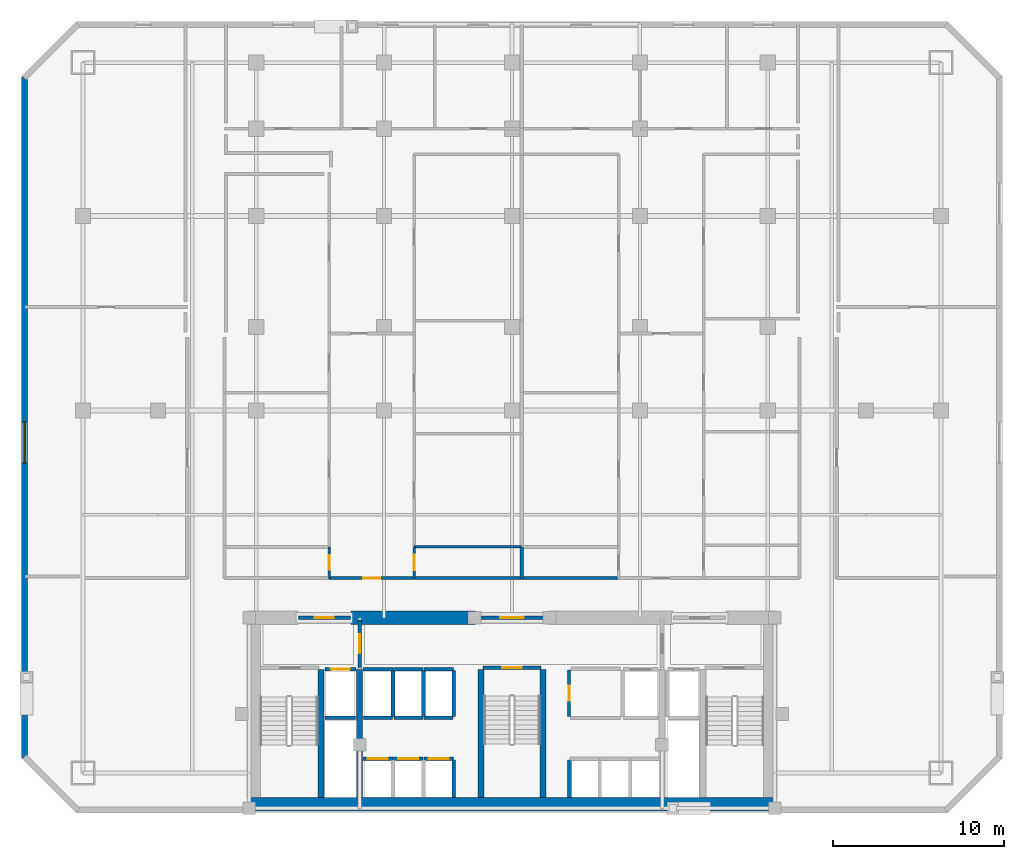
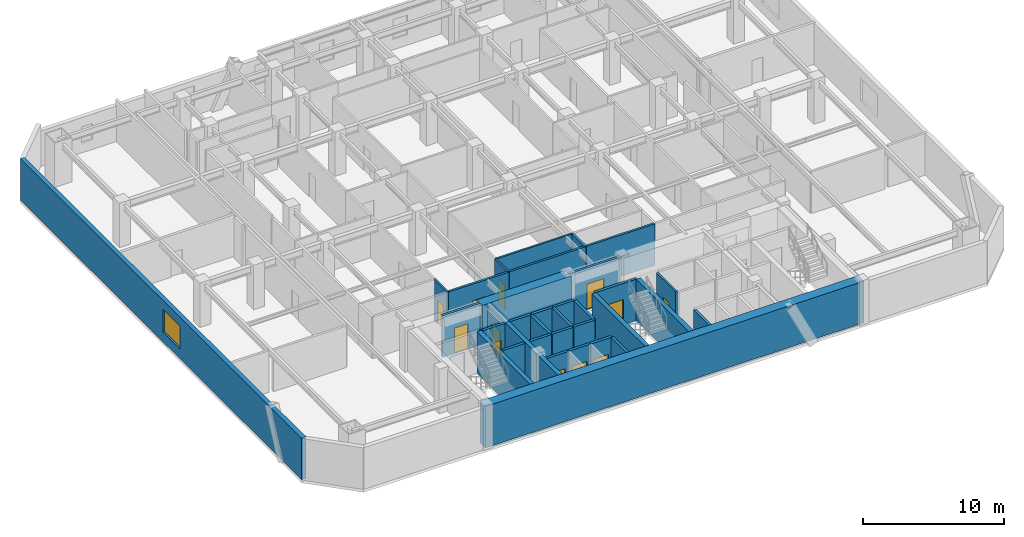
# One storey, part 3 of 8: 35 walls, 12 doors, 1 window, 13 openings.
"""IFC4 building model written with IfcOpenShell, lengths in metres."""

from ifc_helpers import new_model, si_unit, direction, frame, frame_2d, origin, place, context, subcontext, project, spatial, rectangle, extrude, material, layer, layer_set, type_object, element, fill, save


model = new_model("IFC4")

# Units and contexts
model_context = context("Model", 3, precision=1e-05, world=origin(), true_north=direction((0.0, 1.0)))
body_context = subcontext(model_context, "Body", "Model", "MODEL_VIEW")
ifc_project = project(units=[si_unit("LENGTHUNIT", "METRE"), si_unit("AREAUNIT", "SQUARE_METRE"), si_unit("VOLUMEUNIT", "CUBIC_METRE"), si_unit("PLANEANGLEUNIT", "RADIAN"), si_unit("MASSUNIT", "GRAM", prefix="KILO")], contexts=[model_context])

# Site, building, storey
site_placement = place(None, origin())
site = spatial("IfcSite", under=ifc_project, at=site_placement, CompositionType="ELEMENT")
building_placement = place(site_placement, origin())
building = spatial("IfcBuilding", under=site, at=building_placement, Name="Ventersveld Concourse Tower", CompositionType="ELEMENT")
storey_placement = place(building_placement, frame((0.0, 0.0, 37.5)))
storey = spatial("IfcBuildingStorey", under=building, at=storey_placement, Name="L08", CompositionType="ELEMENT", Elevation=37.5)

# Walls
ifc_material_1 = material(Name="Concrete C60/75", Category="concrete")
ifc_layer_1 = layer(ifc_material_1, 0.35009765625)
ifc_layer_set_1 = layer_set([ifc_layer_1], Name="Concrete C60/75")
wall_type_1 = type_object("IfcWallType", Name="WL-CORE-350L", PredefinedType="SHEAR", material=ifc_layer_set_1)
for number, where, z_axis, x_axis, name in (
    (1, (17.5400390625, 0.919921875, 0.0), (0.0, 0.0, 1.0), (0.0, 1.0, 0.0), "L08 Core Internal Shear Web W-ST1-E"),
    (2, (19.820068359375, 0.919921875, 0.0), (0.0, 0.0, 1.0), (0.0, 1.0, 0.0), "L08 Core Internal Shear Web W-FF1-E"),
    (3, (26.93994140625, 0.919921875, 0.0), (0.0, 0.0, 1.0), (0.0, 1.0, 0.0), "L08 Core Internal Shear Web W-ST3-W"),
    (4, (30.56005859375, 0.919921875, 0.0), (0.0, 0.0, 1.0), (0.0, 1.0, 0.0), "L08 Core Internal Shear Web W-ST3-E"),
):
    element("IfcWall", number, at=place(storey_placement, frame(where, z_axis=z_axis, x_axis=x_axis)), inside=storey, type_object=wall_type_1, Name=name, PredefinedType="SHEAR", context=body_context, shape_type="SweptSolid", body=[
        extrude(rectangle(XDim=7.5, YDim=0.35009765625, at=frame_2d((3.75, 0.0))), origin(), (0.0, 0.0, 1.0), 3.60009765625),
    ])
ifc_layer_2 = layer(ifc_material_1, 0.800048828125)
ifc_layer_set_2 = layer_set([ifc_layer_2], Name="Concrete C60/75")
wall_type_2 = type_object("IfcWallType", Name="WL-CORE-800", PredefinedType="SHEAR", material=ifc_layer_set_2)
wall_1_placement = place(storey_placement, frame((13.25, 0.52001953125, 0.0), z_axis=(0.0, 0.0, 1.0), x_axis=(1.0, 0.0, 0.0)))
element("IfcWall", 5, at=wall_1_placement, inside=storey, type_object=wall_type_2, Name="L08 Rear Core South Shear Wall", PredefinedType="SHEAR", context=body_context, shape_type="SweptSolid", body=[
    extrude(rectangle(XDim=31.0, YDim=0.800048828125, at=frame_2d((15.5, 0.0))), origin(), (0.0, 0.0, 1.0), 3.60009765625),
])
wall_2_placement = place(storey_placement, frame((19.300048828125, 11.449951171875, 0.0), z_axis=(0.0, 0.0, 1.0), x_axis=(1.0, 0.0, 0.0)))
element("IfcWall", 6, at=wall_2_placement, inside=storey, type_object=wall_type_2, Name="L08 Rear Core North Shear Wall NML", PredefinedType="SHEAR", context=body_context, shape_type="SweptSolid", body=[
    extrude(rectangle(XDim=7.300048828125, YDim=0.800048828125, at=frame_2d((3.64990234375, 0.0))), origin(), (0.0, 0.0, 1.0), 3.60009765625),
])

# Wall, opening, door
ifc_material_2 = material(Name="Fire-rated autoclaved aerated masonry blockwork", Category="masonry")
ifc_layer_3 = layer(ifc_material_2, 0.179931640625)
ifc_layer_set_3 = layer_set([ifc_layer_3], Name="Fire-rated autoclaved aerated masonry blockwork")
wall_type_3 = type_object("IfcWallType", Name="WL-CORR-180", PredefinedType="PARTITIONING", material=ifc_layer_set_3)
wall_3_placement = place(storey_placement, frame((32.10009765625, 5.64990234375, 0.0), z_axis=(0.0, 0.0, 1.0), x_axis=(0.0, 1.0, 0.0)))
wall_3 = element("IfcWall", 7, at=wall_3_placement, inside=storey, type_object=wall_type_3, Name="L08 Core Passage Wall SP-L08-CBAY1", PredefinedType="PARTITIONING", context=body_context, shape_type="SweptSolid", body=[
    extrude(rectangle(XDim=2.72998046875, YDim=0.179931640625, at=frame_2d((1.364990234375, 0.0))), origin(), (0.0, 0.0, 1.0), 3.60009765625),
])
opening_1_placement = place(wall_3_placement, frame((0.925048828125, 0.0, 0.0)))
opening_1 = element("IfcOpeningElement", 8, at=opening_1_placement, cuts=wall_3, Name="Opening FD5", PredefinedType="OPENING", context=body_context, shape_type="SweptSolid", body=[
    extrude(rectangle(XDim=0.8798828125, YDim=2.050048828125, at=frame_2d((0.43994140625, 1.02490234375))), frame((0.0, 0.10009765625, 0.0), z_axis=(0.0, -1.0, 0.0), x_axis=(1.0, 0.0, 0.0)), (0.0, 0.0, 1.0), 0.199951171875),
])
ifc_material_3 = material(Name="Galvanised painted steel", Category="steel")
door_type_1 = type_object("IfcDoorType", Name="DR-RISER-088", OperationType="NOTDEFINED", PredefinedType="DOOR", material=ifc_material_3)
door_1_placement = place(opening_1_placement, origin())
door_1 = element("IfcDoor", 9, at=door_1_placement, inside=storey, type_object=door_type_1, Name="L08 Core Room Door L08 Core Housekeeping Linen Store (CD-L08-0264)", OperationType="SINGLE_SWING_LEFT", OverallHeight=2.050048828125, OverallWidth=0.8798828125, PredefinedType="DOOR", context=body_context, shape_type="SweptSolid", body=[
    extrude(rectangle(XDim=0.8798828125, YDim=2.050048828125, at=frame_2d((0.43994140625, 1.02490234375))), frame((0.0, 0.02490234375, 0.0), z_axis=(0.0, -1.0, 0.0), x_axis=(1.0, 0.0, 0.0)), (0.0, 0.0, 1.0), 0.050048828125),
])
fill(opening_1, door_1)

wall_4_placement = place(storey_placement, frame((18.035400390625, 13.77001953125, 0.0), z_axis=(0.0, 0.0, 1.0), x_axis=(1.0, 0.0, 0.0)))
wall_4 = element("IfcWall", 10, at=wall_4_placement, inside=storey, type_object=wall_type_3, Name="L08 Interior Partition SP-L08-COR-SP-L08-08N1-FOY", PredefinedType="PARTITIONING", context=body_context, shape_type="SweptSolid", body=[
    extrude(rectangle(XDim=4.989990234375, YDim=0.179931640625, at=frame_2d((2.4951171875, 0.0))), origin(), (0.0, 0.0, 1.0), 3.60009765625),
])
opening_2_placement = place(wall_4_placement, frame((1.9951171875, 0.0, 0.0)))
opening_2 = element("IfcOpeningElement", 11, at=opening_2_placement, cuts=wall_4, Name="Opening FD3", PredefinedType="OPENING", context=body_context, shape_type="SweptSolid", body=[
    extrude(rectangle(XDim=1.0, YDim=2.14990234375, at=frame_2d((0.5, 1.074951171875))), frame((0.0, 0.10009765625, 0.0), z_axis=(0.0, -1.0, 0.0), x_axis=(1.0, 0.0, 0.0)), (0.0, 0.0, 1.0), 0.199951171875),
])
ifc_material_4 = material(Name="Solid-core hardwood veneer timber", Category="wood")
door_type_2 = type_object("IfcDoorType", Name="DR-FLAT-100", OperationType="NOTDEFINED", PredefinedType="DOOR", material=ifc_material_4)
door_2_placement = place(opening_2_placement, origin())
door_2 = element("IfcDoor", 12, at=door_2_placement, inside=storey, type_object=door_type_2, Name="L08 Interior Door SP-L08-COR to SP-L08-08N1-FOY (FD-L08-0267)", OperationType="SINGLE_SWING_LEFT", OverallHeight=2.14990234375, OverallWidth=1.0, PredefinedType="DOOR", context=body_context, shape_type="SweptSolid", body=[
    extrude(rectangle(XDim=1.0, YDim=2.14990234375, at=frame_2d((0.5, 1.074951171875))), frame((0.0, 0.02490234375, 0.0), z_axis=(0.0, -1.0, 0.0), x_axis=(1.0, 0.0, 0.0)), (0.0, 0.0, 1.0), 0.050048828125),
])
fill(opening_2, door_2)

# Walls
wall_5_placement = place(storey_placement, frame((23.055419921875, 13.77001953125, 0.0), z_axis=(0.0, 0.0, 1.0), x_axis=(1.0, 0.0, 0.0)))
element("IfcWall", 13, at=wall_5_placement, inside=storey, type_object=wall_type_3, Name="L08 Interior Partition SP-L08-COR-SP-L08-08N1-KIT", PredefinedType="PARTITIONING", context=body_context, shape_type="SweptSolid", body=[
    extrude(rectangle(XDim=6.263671875, YDim=0.179931640625, at=frame_2d((3.1318359375, 0.0))), origin(), (0.0, 0.0, 1.0), 3.60009765625),
])
wall_6_placement = place(storey_placement, frame((29.34912109375, 13.77001953125, 0.0), z_axis=(0.0, 0.0, 1.0), x_axis=(1.0, 0.0, 0.0)))
element("IfcWall", 14, at=wall_6_placement, inside=storey, type_object=wall_type_3, Name="L08 Interior Partition SP-L08-COR-SP-L08-08N2-BATH", PredefinedType="PARTITIONING", context=body_context, shape_type="SweptSolid", body=[
    extrude(rectangle(XDim=5.62158203125, YDim=0.179931640625, at=frame_2d((2.810791015625, 0.0))), origin(), (0.0, 0.0, 1.0), 3.60009765625),
])
ifc_layer_4 = layer(ifc_material_2, 0.199951171875)
ifc_layer_set_4 = layer_set([ifc_layer_4], Name="Fire-rated autoclaved aerated masonry blockwork")
wall_type_4 = type_object("IfcWallType", Name="WL-DEMISE-200", PredefinedType="PARTITIONING", material=ifc_layer_set_4)
wall_7_placement = place(storey_placement, frame((29.314208984375, 13.764892578125, 0.0), z_axis=(0.0, 0.0, 1.0), x_axis=(0.0, 1.0, 0.0)))
element("IfcWall", 15, at=wall_7_placement, inside=storey, type_object=wall_type_4, Name="L08 Interior Partition SP-L08-08N1-KIT-SP-L08-08N2-BATH", PredefinedType="PARTITIONING", context=body_context, shape_type="SweptSolid", body=[
    extrude(rectangle(XDim=1.840087890625, YDim=0.199951171875, at=frame_2d((0.919921875, 0.0))), origin(), (0.0, 0.0, 1.0), 3.60009765625),
])
ifc_layer_5 = layer(ifc_material_2, 0.219970703125)
ifc_layer_set_5 = layer_set([ifc_layer_5], Name="Fire-rated autoclaved aerated masonry blockwork")
wall_type_5 = type_object("IfcWallType", Name="WL-HOIST-220", PredefinedType="SOLIDWALL", material=ifc_layer_set_5)
wall_8_placement = place(storey_placement, frame((17.800048828125, 5.590087890625, 0.0), z_axis=(0.0, 0.0, 1.0), x_axis=(1.0, 0.0, 0.0)))
element("IfcWall", 16, at=wall_8_placement, inside=storey, type_object=wall_type_5, Name="L08 Lift Hoistway Back Wall FFL-01", PredefinedType="SOLIDWALL", context=body_context, shape_type="SweptSolid", body=[
    extrude(rectangle(XDim=1.780029296875, YDim=0.219970703125, at=frame_2d((0.89013671875, 0.0))), origin(), (0.0, 0.0, 1.0), 3.60009765625),
])

# Wall, opening, door
wall_9_placement = place(storey_placement, frame((17.780029296875, 8.429931640625, 0.0), z_axis=(0.0, 0.0, 1.0), x_axis=(1.0, 0.0, 0.0)))
wall_9 = element("IfcWall", 17, at=wall_9_placement, inside=storey, type_object=wall_type_5, Name="L08 Lift Hoistway Front Wall FFL-01", PredefinedType="SOLIDWALL", context=body_context, shape_type="SweptSolid", body=[
    extrude(rectangle(XDim=1.820068359375, YDim=0.219970703125, at=frame_2d((0.91015625, 0.0))), origin(), (0.0, 0.0, 1.0), 3.60009765625),
])
opening_3_placement = place(wall_9_placement, frame((0.35009765625, 0.0, 0.0)))
opening_3 = element("IfcOpeningElement", 18, at=opening_3_placement, cuts=wall_9, Name="Opening LD1", PredefinedType="OPENING", context=body_context, shape_type="SweptSolid", body=[
    extrude(rectangle(XDim=1.1201171875, YDim=2.25, at=frame_2d((0.56005859375, 1.125))), frame((0.0, 0.1201171875, 0.0), z_axis=(0.0, -1.0, 0.0), x_axis=(1.0, 0.0, 0.0)), (0.0, 0.0, 1.0), 0.239990234375),
])
ifc_material_5 = material(Name="Brushed stainless steel 316", Category="steel")
door_type_3 = type_object("IfcDoorType", Name="LD-FF-112", OperationType="SLIDING_TO_LEFT", PredefinedType="DOOR", material=ifc_material_5)
door_3_placement = place(opening_3_placement, origin())
door_3 = element("IfcDoor", 19, at=door_3_placement, inside=storey, type_object=door_type_3, Name="L08 Lift landing door FFL-01 (LD-L08-FFL-01)", OperationType="SLIDING_TO_LEFT", OverallHeight=2.25, OverallWidth=1.1201171875, PredefinedType="DOOR", context=body_context, shape_type="SweptSolid", body=[
    extrude(rectangle(XDim=1.1201171875, YDim=2.25, at=frame_2d((0.56005859375, 1.125))), frame((0.0, 0.02490234375, 0.0), z_axis=(0.0, -1.0, 0.0), x_axis=(1.0, 0.0, 0.0)), (0.0, 0.0, 1.0), 0.050048828125),
])
fill(opening_3, door_3)

wall_10_placement = place(storey_placement, frame((20.02001953125, 3.179931640625, 0.0), z_axis=(0.0, 0.0, 1.0), x_axis=(1.0, 0.0, 0.0)))
wall_10 = element("IfcWall", 20, at=wall_10_placement, inside=storey, type_object=wall_type_5, Name="L08 Lift Hoistway Front Wall PL-01", PredefinedType="SOLIDWALL", context=body_context, shape_type="SweptSolid", body=[
    extrude(rectangle(XDim=1.739990234375, YDim=0.219970703125, at=frame_2d((0.8701171875, 0.0))), origin(), (0.0, 0.0, 1.0), 3.60009765625),
])
opening_4_placement = place(wall_10_placement, frame((0.280029296875, 0.0, 0.0)))
opening_4 = element("IfcOpeningElement", 21, at=opening_4_placement, cuts=wall_10, Name="Opening LD2", PredefinedType="OPENING", context=body_context, shape_type="SweptSolid", body=[
    extrude(rectangle(XDim=1.179931640625, YDim=2.199951171875, at=frame_2d((0.58984375, 1.10009765625))), frame((0.0, 0.1201171875, 0.0), z_axis=(0.0, -1.0, 0.0), x_axis=(1.0, 0.0, 0.0)), (0.0, 0.0, 1.0), 0.239990234375),
])
door_type_4 = type_object("IfcDoorType", Name="LD-PAX-118", OperationType="SLIDING_TO_LEFT", PredefinedType="DOOR", material=ifc_material_5)
door_4_placement = place(opening_4_placement, origin())
door_4 = element("IfcDoor", 22, at=door_4_placement, inside=storey, type_object=door_type_4, Name="L08 Lift landing door PL-01 (LD-L08-PL-01)", OperationType="SLIDING_TO_RIGHT", OverallHeight=2.199951171875, OverallWidth=1.179931640625, PredefinedType="DOOR", context=body_context, shape_type="SweptSolid", body=[
    extrude(rectangle(XDim=1.179931640625, YDim=2.199951171875, at=frame_2d((0.58984375, 1.10009765625))), frame((0.0, 0.02490234375, 0.0), z_axis=(0.0, -1.0, 0.0), x_axis=(1.0, 0.0, 0.0)), (0.0, 0.0, 1.0), 0.050048828125),
])
fill(opening_4, door_4)

wall_11_placement = place(storey_placement, frame((21.800048828125, 3.179931640625, 0.0), z_axis=(0.0, 0.0, 1.0), x_axis=(1.0, 0.0, 0.0)))
wall_11 = element("IfcWall", 23, at=wall_11_placement, inside=storey, type_object=wall_type_5, Name="L08 Lift Hoistway Front Wall PL-02", PredefinedType="SOLIDWALL", context=body_context, shape_type="SweptSolid", body=[
    extrude(rectangle(XDim=1.739990234375, YDim=0.219970703125, at=frame_2d((0.8701171875, 0.0))), origin(), (0.0, 0.0, 1.0), 3.60009765625),
])
opening_5_placement = place(wall_11_placement, frame((0.280029296875, 0.0, 0.0)))
opening_5 = element("IfcOpeningElement", 24, at=opening_5_placement, cuts=wall_11, Name="Opening LD2", PredefinedType="OPENING", context=body_context, shape_type="SweptSolid", body=[
    extrude(rectangle(XDim=1.179931640625, YDim=2.199951171875, at=frame_2d((0.58984375, 1.10009765625))), frame((0.0, 0.1201171875, 0.0), z_axis=(0.0, -1.0, 0.0), x_axis=(1.0, 0.0, 0.0)), (0.0, 0.0, 1.0), 0.239990234375),
])
door_5_placement = place(opening_5_placement, origin())
door_5 = element("IfcDoor", 25, at=door_5_placement, inside=storey, type_object=door_type_4, Name="L08 Lift landing door PL-02 (LD-L08-PL-02)", OperationType="SLIDING_TO_LEFT", OverallHeight=2.199951171875, OverallWidth=1.179931640625, PredefinedType="DOOR", context=body_context, shape_type="SweptSolid", body=[
    extrude(rectangle(XDim=1.179931640625, YDim=2.199951171875, at=frame_2d((0.58984375, 1.10009765625))), frame((0.0, 0.02490234375, 0.0), z_axis=(0.0, -1.0, 0.0), x_axis=(1.0, 0.0, 0.0)), (0.0, 0.0, 1.0), 0.050048828125),
])
fill(opening_5, door_5)

# Wall
wall_12_placement = place(storey_placement, frame((25.340087890625, 0.89990234375, 0.0), z_axis=(0.0, 0.0, 1.0), x_axis=(0.0, 1.0, 0.0)))
element("IfcWall", 26, at=wall_12_placement, inside=storey, type_object=wall_type_5, Name="L08 Lift Hoistway Side Wall PL-03E", PredefinedType="SOLIDWALL", context=body_context, shape_type="SweptSolid", body=[
    extrude(rectangle(XDim=2.2001953125, YDim=0.219970703125, at=frame_2d((1.10009765625, 0.0))), origin(), (0.0, 0.0, 1.0), 3.60009765625),
])

# Wall, opening, door
wall_13_placement = place(storey_placement, frame((23.580078125, 3.179931640625, 0.0), z_axis=(0.0, 0.0, 1.0), x_axis=(1.0, 0.0, 0.0)))
wall_13 = element("IfcWall", 27, at=wall_13_placement, inside=storey, type_object=wall_type_5, Name="L08 Lift Hoistway Front Wall PL-03", PredefinedType="SOLIDWALL", context=body_context, shape_type="SweptSolid", body=[
    extrude(rectangle(XDim=1.739990234375, YDim=0.219970703125, at=frame_2d((0.8701171875, 0.0))), origin(), (0.0, 0.0, 1.0), 3.60009765625),
])
opening_6_placement = place(wall_13_placement, frame((0.280029296875, 0.0, 0.0)))
opening_6 = element("IfcOpeningElement", 28, at=opening_6_placement, cuts=wall_13, Name="Opening LD2", PredefinedType="OPENING", context=body_context, shape_type="SweptSolid", body=[
    extrude(rectangle(XDim=1.179931640625, YDim=2.199951171875, at=frame_2d((0.58984375, 1.10009765625))), frame((0.0, 0.1201171875, 0.0), z_axis=(0.0, -1.0, 0.0), x_axis=(1.0, 0.0, 0.0)), (0.0, 0.0, 1.0), 0.239990234375),
])
door_6_placement = place(opening_6_placement, origin())
door_6 = element("IfcDoor", 29, at=door_6_placement, inside=storey, type_object=door_type_4, Name="L08 Lift landing door PL-03 (LD-L08-PL-03)", OperationType="SLIDING_TO_RIGHT", OverallHeight=2.199951171875, OverallWidth=1.179931640625, PredefinedType="DOOR", context=body_context, shape_type="SweptSolid", body=[
    extrude(rectangle(XDim=1.179931640625, YDim=2.199951171875, at=frame_2d((0.58984375, 1.10009765625))), frame((0.0, 0.02490234375, 0.0), z_axis=(0.0, -1.0, 0.0), x_axis=(1.0, 0.0, 0.0)), (0.0, 0.0, 1.0), 0.050048828125),
])
fill(opening_6, door_6)

# Walls
wall_14_placement = place(storey_placement, frame((32.1201171875, 0.89990234375, 0.0), z_axis=(0.0, 0.0, 1.0), x_axis=(0.0, 1.0, 0.0)))
element("IfcWall", 30, at=wall_14_placement, inside=storey, type_object=wall_type_5, Name="L08 Lift Hoistway Side Wall PM-01W", PredefinedType="SOLIDWALL", context=body_context, shape_type="SweptSolid", body=[
    extrude(rectangle(XDim=2.2001953125, YDim=0.219970703125, at=frame_2d((1.10009765625, 0.0))), origin(), (0.0, 0.0, 1.0), 3.60009765625),
])
wall_15_placement = place(storey_placement, frame((20.0400390625, 5.590087890625, 0.0), z_axis=(0.0, 0.0, 1.0), x_axis=(1.0, 0.0, 0.0)))
element("IfcWall", 31, at=wall_15_placement, inside=storey, type_object=wall_type_5, Name="L08 Lift Hoistway Back Wall PH-01", PredefinedType="SOLIDWALL", context=body_context, shape_type="SweptSolid", body=[
    extrude(rectangle(XDim=1.699951171875, YDim=0.219970703125, at=frame_2d((0.85009765625, 0.0))), origin(), (0.0, 0.0, 1.0), 3.60009765625),
])
wall_16_placement = place(storey_placement, frame((21.780029296875, 5.64990234375, 0.0), z_axis=(0.0, 0.0, 1.0), x_axis=(0.0, 1.0, 0.0)))
element("IfcWall", 32, at=wall_16_placement, inside=storey, type_object=wall_type_5, Name="L08 Lift Hoistway Side Wall PH-01E", PredefinedType="SOLIDWALL", context=body_context, shape_type="SweptSolid", body=[
    extrude(rectangle(XDim=2.7001953125, YDim=0.219970703125, at=frame_2d((1.35009765625, 0.0))), origin(), (0.0, 0.0, 1.0), 3.60009765625),
])
wall_17_placement = place(storey_placement, frame((20.02001953125, 8.429931640625, 0.0), z_axis=(0.0, 0.0, 1.0), x_axis=(1.0, 0.0, 0.0)))
element("IfcWall", 33, at=wall_17_placement, inside=storey, type_object=wall_type_5, Name="L08 Lift Hoistway Front Wall PH-01", PredefinedType="SOLIDWALL", context=body_context, shape_type="SweptSolid", body=[
    extrude(rectangle(XDim=1.739990234375, YDim=0.219970703125, at=frame_2d((0.8701171875, 0.0))), origin(), (0.0, 0.0, 1.0), 3.60009765625),
])
wall_18_placement = place(storey_placement, frame((21.820068359375, 5.590087890625, 0.0), z_axis=(0.0, 0.0, 1.0), x_axis=(1.0, 0.0, 0.0)))
element("IfcWall", 34, at=wall_18_placement, inside=storey, type_object=wall_type_5, Name="L08 Lift Hoistway Back Wall PH-02", PredefinedType="SOLIDWALL", context=body_context, shape_type="SweptSolid", body=[
    extrude(rectangle(XDim=1.699951171875, YDim=0.219970703125, at=frame_2d((0.85009765625, 0.0))), origin(), (0.0, 0.0, 1.0), 3.60009765625),
])
wall_19_placement = place(storey_placement, frame((23.56005859375, 5.64990234375, 0.0), z_axis=(0.0, 0.0, 1.0), x_axis=(0.0, 1.0, 0.0)))
element("IfcWall", 35, at=wall_19_placement, inside=storey, type_object=wall_type_5, Name="L08 Lift Hoistway Side Wall PH-02E", PredefinedType="SOLIDWALL", context=body_context, shape_type="SweptSolid", body=[
    extrude(rectangle(XDim=2.7001953125, YDim=0.219970703125, at=frame_2d((1.35009765625, 0.0))), origin(), (0.0, 0.0, 1.0), 3.60009765625),
])
wall_20_placement = place(storey_placement, frame((21.800048828125, 8.429931640625, 0.0), z_axis=(0.0, 0.0, 1.0), x_axis=(1.0, 0.0, 0.0)))
element("IfcWall", 36, at=wall_20_placement, inside=storey, type_object=wall_type_5, Name="L08 Lift Hoistway Front Wall PH-02", PredefinedType="SOLIDWALL", context=body_context, shape_type="SweptSolid", body=[
    extrude(rectangle(XDim=1.739990234375, YDim=0.219970703125, at=frame_2d((0.8701171875, 0.0))), origin(), (0.0, 0.0, 1.0), 3.60009765625),
])
wall_21_placement = place(storey_placement, frame((23.60009765625, 5.590087890625, 0.0), z_axis=(0.0, 0.0, 1.0), x_axis=(1.0, 0.0, 0.0)))
element("IfcWall", 37, at=wall_21_placement, inside=storey, type_object=wall_type_5, Name="L08 Lift Hoistway Back Wall PH-03", PredefinedType="SOLIDWALL", context=body_context, shape_type="SweptSolid", body=[
    extrude(rectangle(XDim=1.699951171875, YDim=0.219970703125, at=frame_2d((0.85009765625, 0.0))), origin(), (0.0, 0.0, 1.0), 3.60009765625),
])
wall_22_placement = place(storey_placement, frame((25.340087890625, 5.64990234375, 0.0), z_axis=(0.0, 0.0, 1.0), x_axis=(0.0, 1.0, 0.0)))
element("IfcWall", 38, at=wall_22_placement, inside=storey, type_object=wall_type_5, Name="L08 Lift Hoistway Side Wall PH-03E", PredefinedType="SOLIDWALL", context=body_context, shape_type="SweptSolid", body=[
    extrude(rectangle(XDim=2.7001953125, YDim=0.219970703125, at=frame_2d((1.35009765625, 0.0))), origin(), (0.0, 0.0, 1.0), 3.60009765625),
])
wall_23_placement = place(storey_placement, frame((23.580078125, 8.429931640625, 0.0), z_axis=(0.0, 0.0, 1.0), x_axis=(1.0, 0.0, 0.0)))
element("IfcWall", 39, at=wall_23_placement, inside=storey, type_object=wall_type_5, Name="L08 Lift Hoistway Front Wall PH-03", PredefinedType="SOLIDWALL", context=body_context, shape_type="SweptSolid", body=[
    extrude(rectangle(XDim=1.739990234375, YDim=0.219970703125, at=frame_2d((0.8701171875, 0.0))), origin(), (0.0, 0.0, 1.0), 3.60009765625),
])

# Wall, opening, door
wall_24_placement = place(storey_placement, frame((27.0400390625, 8.52001953125, 0.0), z_axis=(0.0, 0.0, 1.0), x_axis=(1.0, 0.0, 0.0)))
wall_24 = element("IfcWall", 40, at=wall_24_placement, inside=storey, type_object=wall_type_5, Name="L08 Escape Stair ST03 Fire Wall", PredefinedType="SOLIDWALL", context=body_context, shape_type="SweptSolid", body=[
    extrude(rectangle(XDim=3.419921875, YDim=0.219970703125, at=frame_2d((1.7099609375, 0.0))), origin(), (0.0, 0.0, 1.0), 3.60009765625),
])
opening_7_placement = place(wall_24_placement, frame((1.135009765625, 0.0, 0.0)))
opening_7 = element("IfcOpeningElement", 41, at=opening_7_placement, cuts=wall_24, Name="Opening FD1", PredefinedType="OPENING", context=body_context, shape_type="SweptSolid", body=[
    extrude(rectangle(XDim=1.14990234375, YDim=2.199951171875, at=frame_2d((0.574951171875, 1.10009765625))), frame((0.0, 0.1201171875, 0.0), z_axis=(0.0, -1.0, 0.0), x_axis=(1.0, 0.0, 0.0)), (0.0, 0.0, 1.0), 0.239990234375),
])
door_type_5 = type_object("IfcDoorType", Name="DR-STAIR-115", OperationType="NOTDEFINED", PredefinedType="DOOR", material=ifc_material_3)
door_7_placement = place(opening_7_placement, origin())
door_7 = element("IfcDoor", 42, at=door_7_placement, inside=storey, type_object=door_type_5, Name="L08 Escape Stair Door ST03 (SD-L08-0258)", OperationType="SINGLE_SWING_LEFT", OverallHeight=2.199951171875, OverallWidth=1.14990234375, PredefinedType="DOOR", context=body_context, shape_type="SweptSolid", body=[
    extrude(rectangle(XDim=1.14990234375, YDim=2.199951171875, at=frame_2d((0.574951171875, 1.10009765625))), frame((0.0, 0.02490234375, 0.0), z_axis=(0.0, -1.0, 0.0), x_axis=(1.0, 0.0, 0.0)), (0.0, 0.0, 1.0), 0.050048828125),
])
fill(opening_7, door_7)

wall_25_placement = place(storey_placement, frame((19.820068359375, 8.52001953125, 0.0), z_axis=(0.0, 0.0, 1.0), x_axis=(0.0, 1.0, 0.0)))
wall_25 = element("IfcWall", 43, at=wall_25_placement, inside=storey, type_object=wall_type_5, Name="L08 Firefighting Lobby Smoke-Stop Wall FFLW-SEP", PredefinedType="SOLIDWALL", context=body_context, shape_type="SweptSolid", body=[
    extrude(rectangle(XDim=2.800048828125, YDim=0.219970703125, at=frame_2d((1.39990234375, 0.0))), origin(), (0.0, 0.0, 1.0), 3.055419921875),
])
opening_8_placement = place(wall_25_placement, frame((0.85009765625, 0.0, 0.0)))
opening_8 = element("IfcOpeningElement", 44, at=opening_8_placement, cuts=wall_25, Name="Opening FD2", PredefinedType="OPENING", context=body_context, shape_type="SweptSolid", body=[
    extrude(rectangle(XDim=1.10009765625, YDim=2.199951171875, at=frame_2d((0.550048828125, 1.10009765625))), frame((0.0, 0.1201171875, 0.0), z_axis=(0.0, -1.0, 0.0), x_axis=(1.0, 0.0, 0.0)), (0.0, 0.0, 1.0), 0.239990234375),
])
door_type_6 = type_object("IfcDoorType", Name="DR-FFL-110", OperationType="NOTDEFINED", PredefinedType="DOOR", material=ifc_material_3)
door_8_placement = place(opening_8_placement, origin())
door_8 = element("IfcDoor", 45, at=door_8_placement, inside=storey, type_object=door_type_6, Name="L08 Firefighting Lobby Door FFLW-SEP (FD-L08-0259)", OperationType="SINGLE_SWING_LEFT", OverallHeight=2.199951171875, OverallWidth=1.10009765625, PredefinedType="DOOR", context=body_context, shape_type="SweptSolid", body=[
    extrude(rectangle(XDim=1.10009765625, YDim=2.199951171875, at=frame_2d((0.550048828125, 1.10009765625))), frame((0.0, 0.02490234375, 0.0), z_axis=(0.0, -1.0, 0.0), x_axis=(1.0, 0.0, 0.0)), (0.0, 0.0, 1.0), 0.050048828125),
])
fill(opening_8, door_8)

wall_26_placement = place(storey_placement, frame((16.22998046875, 11.449951171875, 0.0), z_axis=(0.0, 0.0, 1.0), x_axis=(1.0, 0.0, 0.0)))
wall_26 = element("IfcWall", 46, at=wall_26_placement, inside=storey, type_object=wall_type_5, Name="L08 Core North Fire Portal FFLW-OUT", PredefinedType="SOLIDWALL", context=body_context, shape_type="SweptSolid", body=[
    extrude(rectangle(XDim=3.0400390625, YDim=0.219970703125, at=frame_2d((1.52001953125, 0.0))), origin(), (0.0, 0.0, 1.0), 3.60009765625),
])
opening_9_placement = place(wall_26_placement, frame((0.969970703125, 0.0, 0.0)))
opening_9 = element("IfcOpeningElement", 47, at=opening_9_placement, cuts=wall_26, Name="Opening FD2", PredefinedType="OPENING", context=body_context, shape_type="SweptSolid", body=[
    extrude(rectangle(XDim=1.10009765625, YDim=2.199951171875, at=frame_2d((0.550048828125, 1.10009765625))), frame((0.0, 0.1201171875, 0.0), z_axis=(0.0, -1.0, 0.0), x_axis=(1.0, 0.0, 0.0)), (0.0, 0.0, 1.0), 0.239990234375),
])
door_9_placement = place(opening_9_placement, origin())
door_9 = element("IfcDoor", 48, at=door_9_placement, inside=storey, type_object=door_type_6, Name="L08 Core Lobby Fire Door FFLW-OUT (FD-L08-0261)", OperationType="SINGLE_SWING_RIGHT", OverallHeight=2.199951171875, OverallWidth=1.10009765625, PredefinedType="DOOR", context=body_context, shape_type="SweptSolid", body=[
    extrude(rectangle(XDim=1.10009765625, YDim=2.199951171875, at=frame_2d((0.550048828125, 1.10009765625))), frame((0.0, 0.02490234375, 0.0), z_axis=(0.0, -1.0, 0.0), x_axis=(1.0, 0.0, 0.0)), (0.0, 0.0, 1.0), 0.050048828125),
])
fill(opening_9, door_9)

wall_27_placement = place(storey_placement, frame((26.6298828125, 11.449951171875, 0.0), z_axis=(0.0, 0.0, 1.0), x_axis=(1.0, 0.0, 0.0)))
wall_27 = element("IfcWall", 49, at=wall_27_placement, inside=storey, type_object=wall_type_5, Name="L08 Core North Fire Portal PLOB-OUT", PredefinedType="SOLIDWALL", context=body_context, shape_type="SweptSolid", body=[
    extrude(rectangle(XDim=4.240234375, YDim=0.219970703125, at=frame_2d((2.1201171875, 0.0))), origin(), (0.0, 0.0, 1.0), 3.60009765625),
])
opening_10_placement = place(wall_27_placement, frame((1.419921875, 0.0, 0.0)))
opening_10 = element("IfcOpeningElement", 50, at=opening_10_placement, cuts=wall_27, Name="Opening FD4", PredefinedType="OPENING", context=body_context, shape_type="SweptSolid", body=[
    extrude(rectangle(XDim=1.39990234375, YDim=2.199951171875, at=frame_2d((0.699951171875, 1.10009765625))), frame((0.0, 0.1201171875, 0.0), z_axis=(0.0, -1.0, 0.0), x_axis=(1.0, 0.0, 0.0)), (0.0, 0.0, 1.0), 0.239990234375),
])
door_type_7 = type_object("IfcDoorType", Name="DR-PLANT-140", OperationType="DOUBLE_DOOR_SINGLE_SWING", PredefinedType="DOOR", material=ifc_material_3)
door_10_placement = place(opening_10_placement, origin())
door_10 = element("IfcDoor", 51, at=door_10_placement, inside=storey, type_object=door_type_7, Name="L08 Core Lobby Fire Door PLOB-OUT (FD-L08-0262)", OperationType="DOUBLE_DOOR_SINGLE_SWING", OverallHeight=2.199951171875, OverallWidth=1.39990234375, PredefinedType="DOOR", context=body_context, shape_type="SweptSolid", body=[
    extrude(rectangle(XDim=1.39990234375, YDim=2.199951171875, at=frame_2d((0.699951171875, 1.10009765625))), frame((0.0, 0.02490234375, 0.0), z_axis=(0.0, -1.0, 0.0), x_axis=(1.0, 0.0, 0.0)), (0.0, 0.0, 1.0), 0.050048828125),
])
fill(opening_10, door_10)

ifc_material_6 = material(Name="Autoclaved aerated masonry blockwork", Category="masonry")
ifc_layer_6 = layer(ifc_material_6, 0.14990234375)
ifc_layer_set_6 = layer_set([ifc_layer_6], Name="Autoclaved aerated masonry blockwork")
wall_type_6 = type_object("IfcWallType", Name="WL-INT-150", PredefinedType="PARTITIONING", material=ifc_layer_set_6)
wall_28_placement = place(storey_placement, frame((23.020263671875, 13.764892578125, 0.0), z_axis=(0.0, 0.0, 1.0), x_axis=(0.0, 1.0, 0.0)))
wall_28 = element("IfcWall", 52, at=wall_28_placement, inside=storey, type_object=wall_type_6, Name="L08 Interior Partition SP-L08-08N1-FOY-SP-L08-08N1-KIT", PredefinedType="PARTITIONING", context=body_context, shape_type="SweptSolid", body=[
    extrude(rectangle(XDim=1.840087890625, YDim=0.14990234375, at=frame_2d((0.919921875, 0.0))), origin(), (0.0, 0.0, 1.0), 3.60009765625),
])
opening_11_placement = place(wall_28_placement, frame((0.4599609375, 0.0, 0.0)))
opening_11 = element("IfcOpeningElement", 53, at=opening_11_placement, cuts=wall_28, Name="Opening ID1", PredefinedType="OPENING", context=body_context, shape_type="SweptSolid", body=[
    extrude(rectangle(XDim=0.919921875, YDim=2.10009765625, at=frame_2d((0.4599609375, 1.050048828125))), frame((0.0, 0.0849609375, 0.0), z_axis=(0.0, -1.0, 0.0), x_axis=(1.0, 0.0, 0.0)), (0.0, 0.0, 1.0), 0.169921875),
])
door_type_8 = type_object("IfcDoorType", Name="DR-ROOM-092", OperationType="NOTDEFINED", PredefinedType="DOOR", material=ifc_material_4)
door_11_placement = place(opening_11_placement, origin())
door_11 = element("IfcDoor", 54, at=door_11_placement, inside=storey, type_object=door_type_8, Name="L08 Interior Door SP-L08-08N1-FOY to SP-L08-08N1-KIT (D-L08-0275)", OperationType="SINGLE_SWING_LEFT", OverallHeight=2.10009765625, OverallWidth=0.919921875, PredefinedType="DOOR", context=body_context, shape_type="SweptSolid", body=[
    extrude(rectangle(XDim=0.919921875, YDim=2.10009765625, at=frame_2d((0.4599609375, 1.050048828125))), frame((0.0, 0.02490234375, 0.0), z_axis=(0.0, -1.0, 0.0), x_axis=(1.0, 0.0, 0.0)), (0.0, 0.0, 1.0), 0.050048828125),
])
fill(opening_11, door_11)

# Wall
wall_29_placement = place(storey_placement, frame((23.015380859375, 15.60009765625, 0.0), z_axis=(0.0, 0.0, 1.0), x_axis=(1.0, 0.0, 0.0)))
element("IfcWall", 55, at=wall_29_placement, inside=storey, type_object=wall_type_6, Name="L08 Interior Partition SP-L08-08N1-KIT-SP-L08-08N1-DENR", PredefinedType="PARTITIONING", context=body_context, shape_type="SweptSolid", body=[
    extrude(rectangle(XDim=6.3037109375, YDim=0.14990234375, at=frame_2d((3.15185546875, 0.0))), origin(), (0.0, 0.0, 1.0), 3.60009765625),
])

# Wall, opening, window
ifc_material_7 = material(Name="Precast concrete C45/55", Category="concrete")
ifc_layer_7 = layer(ifc_material_7, 0.35009765625)
ifc_layer_set_7 = layer_set([ifc_layer_7], Name="Precast concrete C45/55")
wall_type_7 = type_object("IfcWallType", Name="WL-PREC-350", PredefinedType="SOLIDWALL", material=ifc_layer_set_7)
wall_30_placement = place(storey_placement, frame((0.175048828125, 43.159912109375, 0.0), z_axis=(0.0, 0.0, 1.0), x_axis=(0.0, -1.0, 0.0)))
wall_30 = element("IfcWall", 56, at=wall_30_placement, inside=storey, type_object=wall_type_7, Name="L08 Highveld Precast Facade Wall E07", PredefinedType="SOLIDWALL", context=body_context, shape_type="SweptSolid", body=[
    extrude(rectangle(XDim=39.919921875, YDim=0.35009765625, at=frame_2d((19.9599609375, 0.0))), origin(), (0.0, 0.0, 1.0), 3.60009765625),
])
opening_12_placement = place(wall_30_placement, frame((20.239990234375, 0.0, 0.85009765625)))
opening_12 = element("IfcOpeningElement", 57, at=opening_12_placement, cuts=wall_30, Name="Opening W5", PredefinedType="OPENING", context=body_context, shape_type="SweptSolid", body=[
    extrude(rectangle(XDim=2.39990234375, YDim=2.0, at=frame_2d((1.199951171875, 1.0))), frame((0.0, 0.18505859375, 0.0), z_axis=(0.0, -1.0, 0.0), x_axis=(1.0, 0.0, 0.0)), (0.0, 0.0, 1.0), 0.3701171875),
])
ifc_material_8 = material(Name="Tempered acoustic Low-E IGU", Category="glass")
window_type = type_object("IfcWindowType", Name="WIN-240x210", PartitioningType="SINGLE_PANEL", PredefinedType="WINDOW", material=ifc_material_8)
window_placement = place(opening_12_placement, origin())
window = element("IfcWindow", 58, at=window_placement, inside=storey, type_object=window_type, Name="L08 Punched Low-E Window W-0023", OverallHeight=2.0, OverallWidth=2.39990234375, PartitioningType="SINGLE_PANEL", PredefinedType="WINDOW", context=body_context, shape_type="SweptSolid", body=[
    extrude(rectangle(XDim=2.39990234375, YDim=2.0, at=frame_2d((1.199951171875, 1.0))), frame((0.0, 0.030029296875, 0.0), z_axis=(0.0, -1.0, 0.0), x_axis=(1.0, 0.0, 0.0)), (0.0, 0.0, 1.0), 0.06005859375),
])
fill(opening_12, window)

# Wall, opening, door
ifc_layer_8 = layer(ifc_material_6, 0.1650390625)
ifc_layer_set_8 = layer_set([ifc_layer_8], Name="Autoclaved aerated masonry blockwork")
wall_type_8 = type_object("IfcWallType", Name="WL-WET-165", PredefinedType="PLUMBINGWALL", material=ifc_layer_set_8)
wall_31_placement = place(storey_placement, frame((18.040283203125, 13.764892578125, 0.0), z_axis=(0.0, 0.0, 1.0), x_axis=(0.0, 1.0, 0.0)))
wall_31 = element("IfcWall", 59, at=wall_31_placement, inside=storey, type_object=wall_type_8, Name="L08 Interior Partition SP-L08-08N1-FOY-SP-L08-08N1-BATH", PredefinedType="PLUMBINGWALL", context=body_context, shape_type="SweptSolid", body=[
    extrude(rectangle(XDim=1.840087890625, YDim=0.1650390625, at=frame_2d((0.919921875, 0.0))), origin(), (0.0, 0.0, 1.0), 3.60009765625),
])
opening_13_placement = place(wall_31_placement, frame((0.4951171875, 0.0, 0.0)))
opening_13 = element("IfcOpeningElement", 60, at=opening_13_placement, cuts=wall_31, Name="Opening ID2", PredefinedType="OPENING", context=body_context, shape_type="SweptSolid", body=[
    extrude(rectangle(XDim=0.85009765625, YDim=2.10009765625, at=frame_2d((0.425048828125, 1.050048828125))), frame((0.0, 0.092529296875, 0.0), z_axis=(0.0, -1.0, 0.0), x_axis=(1.0, 0.0, 0.0)), (0.0, 0.0, 1.0), 0.18505859375),
])
door_type_9 = type_object("IfcDoorType", Name="DR-BATH-085", OperationType="NOTDEFINED", PredefinedType="DOOR", material=ifc_material_4)
door_12_placement = place(opening_13_placement, origin())
door_12 = element("IfcDoor", 61, at=door_12_placement, inside=storey, type_object=door_type_9, Name="L08 Interior Door SP-L08-08N1-FOY to SP-L08-08N1-BATH (D-L08-0272)", OperationType="SINGLE_SWING_RIGHT", OverallHeight=2.10009765625, OverallWidth=0.85009765625, PredefinedType="DOOR", context=body_context, shape_type="SweptSolid", body=[
    extrude(rectangle(XDim=0.85009765625, YDim=2.10009765625, at=frame_2d((0.425048828125, 1.050048828125))), frame((0.0, 0.02490234375, 0.0), z_axis=(0.0, -1.0, 0.0), x_axis=(1.0, 0.0, 0.0)), (0.0, 0.0, 1.0), 0.050048828125),
])
fill(opening_13, door_12)

save(model, "model.ifc")
